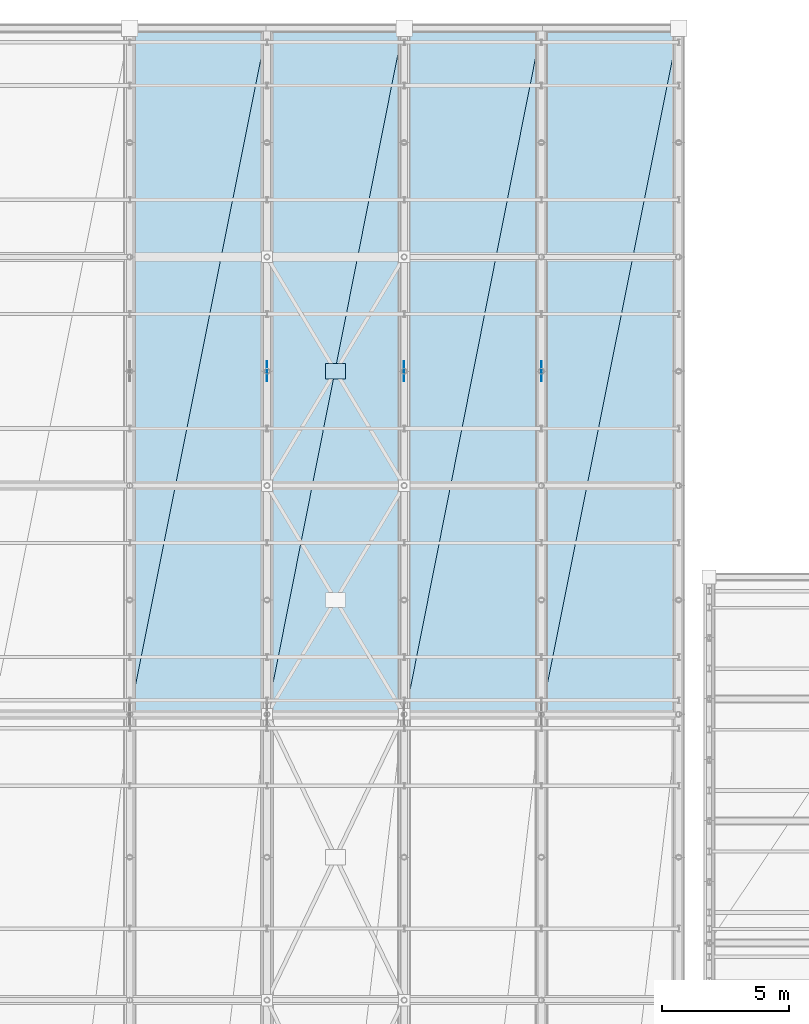
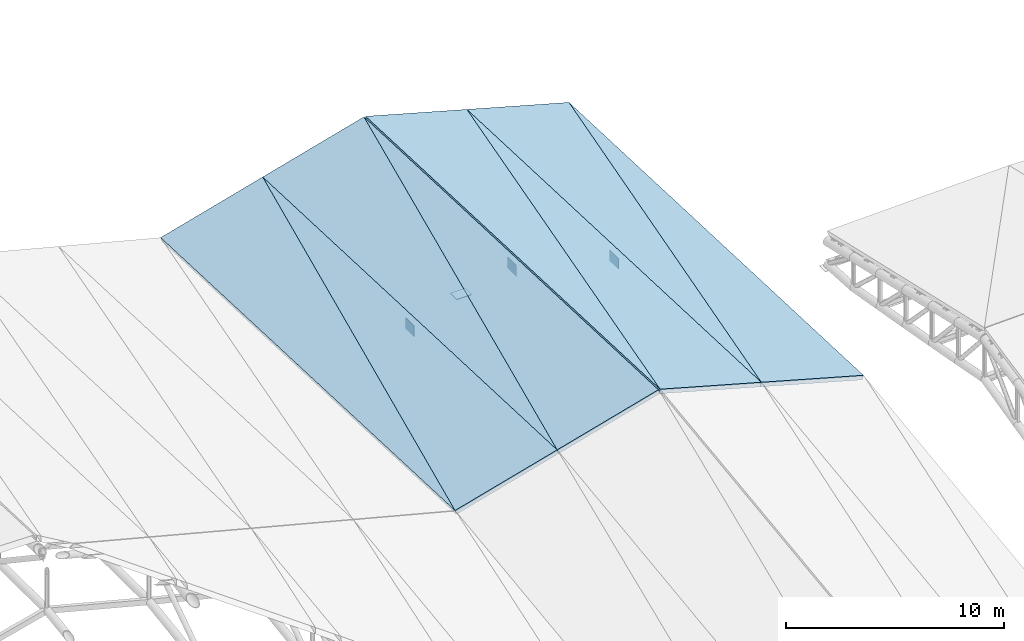
# One storey, part 104 of 109: 8 slabs, 4 plates.
"""IFC4 building model written with IfcOpenShell, lengths in metres."""

from ifc_helpers import new_model, si_unit, direction, frame, origin, origin_2d, place, context, subcontext, project, spatial, polyline, rectangle, outline, extrude, material, layer, layer_set, type_object, element, save


model = new_model("IFC4")

# Units and contexts
model_context = context("Model", 3, precision=1e-05, world=origin(), true_north=direction((0.0, 1.0)))
body_context = subcontext(model_context, "Body", "Model", "MODEL_VIEW")
ifc_project = project(units=[si_unit("LENGTHUNIT", "METRE"), si_unit("AREAUNIT", "SQUARE_METRE"), si_unit("VOLUMEUNIT", "CUBIC_METRE"), si_unit("PLANEANGLEUNIT", "RADIAN"), si_unit("MASSUNIT", "GRAM", prefix="KILO")], contexts=[model_context])

# Site, building, storey
site_placement = place(None, origin())
site = spatial("IfcSite", under=ifc_project, at=site_placement, CompositionType="ELEMENT")
building_placement = place(site_placement, origin())
building = spatial("IfcBuilding", under=site, at=building_placement, Name="Suirenkawa Promenade Aquatics Centre", CompositionType="ELEMENT")
storey_placement = place(building_placement, frame((0.0, 0.0, 22.800048828125)))
storey = spatial("IfcBuildingStorey", under=building, at=storey_placement, Name="ROOF", CompositionType="ELEMENT", Elevation=22.800048828125)

# Plates
ifc_material_1 = material(Name="Steel IS 2062 E350 (Grade 350)", Category="steel")
ifc_layer_1 = layer(ifc_material_1, 0.02392578125, Name="Steel IS 2062 E350 (Grade 350)", Category="steel")
ifc_layer_set_1 = layer_set([ifc_layer_1], Name="Steel IS 2062 E350 (Grade 350)")
plate_type = type_object("IfcPlateType", Name="PLT-GUSSET-800x600x24", PredefinedType="USERDEFINED", material=ifc_layer_set_1)
for number, where, z_axis, x_axis, name in (
    (1, (138.60009765625, 108.89990234375, -8.710205078125), (0.0, 0.0, 1.0), (0.0, 1.0, 0.0), "Truss node plate TN-04 PLG-0069"),
    (2, (144.0, 108.89990234375, -7.210205078125), (0.0, 0.0, 1.0), (0.0, 1.0, 0.0), "Truss node plate TN-04 PLG-0074"),
    (3, (149.39990234375, 108.89990234375, -8.710205078125), (0.0, 0.0, 1.0), (0.0, 1.0, 0.0), "Truss node plate TN-04 PLG-0077"),
):
    element("IfcPlate", number, at=place(storey_placement, frame(where, z_axis=z_axis, x_axis=x_axis)), inside=storey, type_object=plate_type, Name=name, ObjectType="GUSSET", PredefinedType="USERDEFINED", context=body_context, shape_type="SweptSolid", body=[
        extrude(rectangle(XDim=0.800048828125, YDim=0.02392578125, at=origin_2d()), origin(), (0.0, 0.0, 1.0), 0.60009765625),
    ])
plate_placement = place(storey_placement, frame((141.300048828125, 108.89990234375, -7.511962890625), z_axis=(0.0, 0.0, 1.0), x_axis=(1.0, 0.0, 0.0)))
element("IfcPlate", 4, at=plate_placement, inside=storey, type_object=plate_type, Name="Truss node plate TN-04 PLG-0128", ObjectType="GUSSET", PredefinedType="USERDEFINED", context=body_context, shape_type="SweptSolid", body=[
    extrude(rectangle(XDim=0.800048828125, YDim=0.60009765625, at=origin_2d()), origin(), (0.0, 0.0, 1.0), 0.02392578125),
])

# Slabs
ifc_material_2 = material(Name="Concrete M35", Category="concrete")
ifc_layer_2 = layer(ifc_material_2, 0.239990234375, Name="Concrete M35", Category="concrete")
ifc_layer_set_2 = layer_set([ifc_layer_2], Name="Concrete M35")
slab_type = type_object("IfcSlabType", Name="SLT-ROOF-V1-240", PredefinedType="ROOF", material=ifc_layer_set_2)
slab_1_placement = place(storey_placement, frame((133.199951171875, 95.422119140625, -8.60009765625), z_axis=(-0.267430874389, 0.039251333244, 0.962777264097), x_axis=(0.963519781844, 0.0, 0.267637123724)))
element("IfcSlab", 5, at=slab_1_placement, inside=storey, type_object=slab_type, Name="Folded roof facet SL-ROOF-01 SL-V1-RFN-17-1", PredefinedType="ROOF", context=body_context, shape_type="SweptSolid", body=[
    extrude(outline(polyline([(0.0, 0.0), (5.604603648136742, -6.938893903907228e-18), (5.310242016697207, 26.99858913981585), (0.0, 0.0)])), origin(), (0.0, 0.0, -1.0), 0.239990234375),
])
slab_2_placement = place(storey_placement, frame((133.199951171875, 95.422119140625, -8.60009765625), z_axis=(-0.267430874389, 0.039251333244, 0.962777264097), x_axis=(0.196255785527, 0.980444891566, 0.014542394886)))
element("IfcSlab", 6, at=slab_2_placement, inside=storey, type_object=slab_type, Name="Folded roof facet SL-ROOF-01 SL-V1-RFN-17-2", PredefinedType="ROOF", context=body_context, shape_type="SweptSolid", body=[
    extrude(outline(polyline([(0.0, 0.0), (27.515858805722907, 1.1102230246251565e-16), (26.434235223140774, 5.4992429004645595), (0.0, 0.0)])), origin(), (0.0, 0.0, -1.0), 0.239990234375),
])
slab_3_placement = place(storey_placement, frame((138.60009765625, 95.422119140625, -7.10009765625), z_axis=(-0.267528081153, 0.039258932181, 0.962749947826), x_axis=(0.963492732357, 0.0, 0.267734485443)))
element("IfcSlab", 7, at=slab_3_placement, inside=storey, type_object=slab_type, Name="Folded roof facet SL-ROOF-01 SL-V1-RFN-18-1", PredefinedType="ROOF", context=body_context, shape_type="SweptSolid", body=[
    extrude(outline(polyline([(0.0, 0.0), (5.557883613352395, 6.938893903907228e-18), (5.263349533418852, 26.998597205852345), (0.0, 0.0)])), origin(), (0.0, 0.0, -1.0), 0.239990234375),
])
slab_4_placement = place(storey_placement, frame((138.60009765625, 95.422119140625, -7.10009765625), z_axis=(-0.26748742036, 0.039250693886, 0.962761581586), x_axis=(0.19467803105, 0.980765802364, 0.014103373363)))
element("IfcSlab", 8, at=slab_4_placement, inside=storey, type_object=slab_type, Name="Folded roof facet SL-ROOF-01 SL-V1-RFN-18-2", PredefinedType="ROOF", context=body_context, shape_type="SweptSolid", body=[
    extrude(outline(polyline([(0.0, 0.0), (27.50685549812625, 5.134781488891349e-16), (26.44337554443446, 5.455121825097183), (0.0, 0.0)])), origin(), (0.0, 0.0, -1.0), 0.239990234375),
])
slab_5_placement = place(storey_placement, frame((144.044921875, 95.422119140625, -5.612060546875), z_axis=(0.26752817265, 0.039250233014, 0.962750277095), x_axis=(0.963492732357, 0.0, -0.267734485443)))
element("IfcSlab", 9, at=slab_5_placement, inside=storey, type_object=slab_type, Name="Folded roof facet SL-ROOF-01 SL-V1-RFN-19-1", PredefinedType="ROOF", context=body_context, shape_type="SweptSolid", body=[
    extrude(outline(polyline([(0.0, 0.0), (5.557883613352395, 0.0), (5.852352328421327, 26.99858797208646), (0.0, 0.0)])), origin(), (0.0, 0.0, -1.0), 0.239990234375),
])
slab_6_placement = place(storey_placement, frame((144.044921875, 95.422119140625, -5.612060546875), z_axis=(0.267487328875, 0.039259393154, 0.962761252305), x_axis=(0.193841236084, 0.976550124395, -0.093677263722)))
element("IfcSlab", 10, at=slab_6_placement, inside=storey, type_object=slab_type, Name="Folded roof facet SL-ROOF-01 SL-V1-RFN-19-2", PredefinedType="ROOF", context=body_context, shape_type="SweptSolid", body=[
    extrude(outline(polyline([(0.0, 0.0), (27.625600088730568, 0.0), (26.448211681166836, 5.43167564166809), (0.0, 0.0)])), origin(), (0.0, 0.0, -1.0), 0.239990234375),
])
slab_7_placement = place(storey_placement, frame((149.39990234375, 95.422119140625, -7.10009765625), z_axis=(0.267430874389, 0.039251333244, 0.962777264097), x_axis=(0.963519781844, 0.0, -0.267637123724)))
element("IfcSlab", 11, at=slab_7_placement, inside=storey, type_object=slab_type, Name="Folded roof facet SL-ROOF-01 SL-V1-RFN-20-1", PredefinedType="ROOF", context=body_context, shape_type="SweptSolid", body=[
    extrude(outline(polyline([(0.0, 0.0), (5.604603648136742, 6.938893903907228e-18), (5.898965279576276, 26.99858913981585), (0.0, 0.0)])), origin(), (0.0, 0.0, -1.0), 0.239990234375),
])
slab_8_placement = place(storey_placement, frame((149.39990234375, 95.422119140625, -7.10009765625), z_axis=(0.267430874389, 0.039251333244, 0.962777264097), x_axis=(0.195406048185, 0.976199816018, -0.094076540853)))
element("IfcSlab", 12, at=slab_8_placement, inside=storey, type_object=slab_type, Name="Folded roof facet SL-ROOF-01 SL-V1-RFN-20-2", PredefinedType="ROOF", context=body_context, shape_type="SweptSolid", body=[
    extrude(outline(polyline([(0.0, 0.0), (27.635513509074308, -1.1102230246251565e-16), (26.43917741366254, 5.475432585606601), (0.0, 0.0)])), origin(), (0.0, 0.0, -1.0), 0.239990234375),
])

save(model, "model.ifc")
